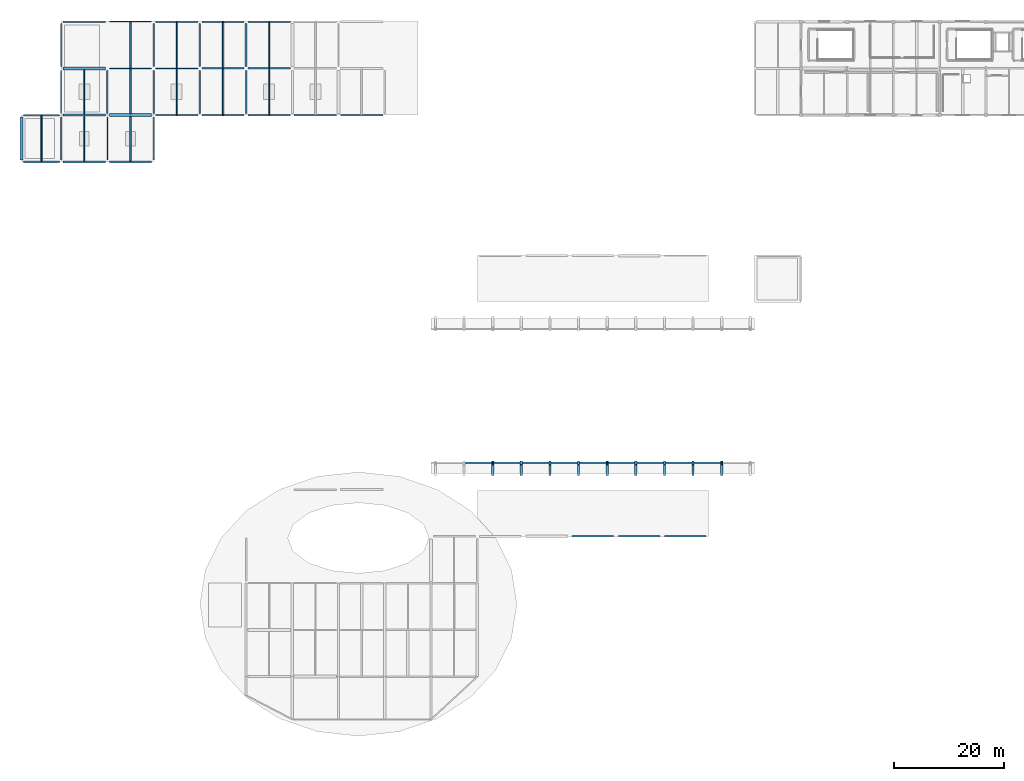
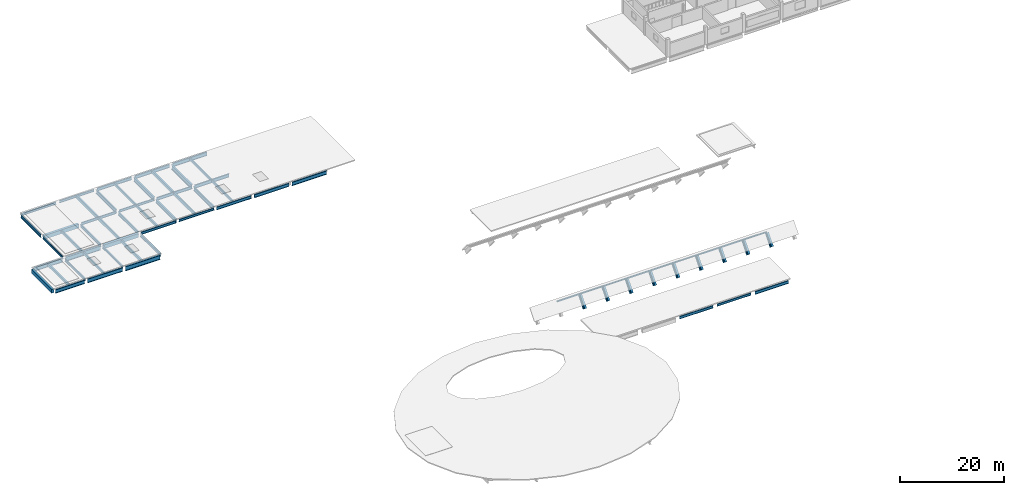
# One storey, part 4 of 13: 58 beams, 9 members.
"""IFC4 building model written with IfcOpenShell, lengths in metres."""

from ifc_helpers import new_model, si_unit, direction, frame, origin, origin_2d, place, context, subcontext, project, spatial, rectangle, hollow_rectangle, i_section, extrude, material, material_profile, profile_set, type_object, element, save


model = new_model("IFC4")

# Units and contexts
model_context = context("Model", 3, precision=1e-05, world=origin(), true_north=direction((0.0, 1.0)))
body_context = subcontext(model_context, "Body", "Model", "MODEL_VIEW")
ifc_project = project(units=[si_unit("LENGTHUNIT", "METRE"), si_unit("AREAUNIT", "SQUARE_METRE"), si_unit("VOLUMEUNIT", "CUBIC_METRE"), si_unit("PLANEANGLEUNIT", "RADIAN"), si_unit("MASSUNIT", "GRAM", prefix="KILO")], contexts=[model_context])

# Site, building, storey
site_placement = place(None, origin())
site = spatial("IfcSite", under=ifc_project, at=site_placement, CompositionType="ELEMENT")
building_placement = place(site_placement, origin())
building = spatial("IfcBuilding", under=site, at=building_placement, Name="Solvento Point Concert Hall", CompositionType="ELEMENT")
storey_placement = place(building_placement, frame((0.0, 0.0, 23.699951171875)))
storey = spatial("IfcBuildingStorey", under=building, at=storey_placement, Name="L05", CompositionType="ELEMENT", Elevation=23.699951171875)

# Beams
ifc_material_1 = material(Name="Structural Steel ASTM A992 Grade 50", Category="steel")
ifc_material_profile_1 = material_profile(ifc_material_1, i_section(OverallWidth=0.423095703125, OverallDepth=0.947998046875, WebThickness=0.02392578125, FlangeThickness=0.042724609375, at=origin_2d()), Name="W36X302")
ifc_profile_set_1 = profile_set([ifc_material_profile_1], Name="Structural Steel ASTM A992 Grade 50")
beam_type_1 = type_object("IfcBeamType", Name="ArchRib_W36X302", PredefinedType="BEAM", material=ifc_profile_set_1)
for number, where, z_axis, x_axis, name in (
    (1, (85.60009765625, 53.956298828125, -0.38330078125), (0.0, 0.644303065309, 0.76477026618), (-1.0, 0.0, 0.0), "Steel arch rib AR-01 bay 3 seg 3"),
    (2, (90.800048828125, 53.956298828125, -0.38330078125), (0.0, 0.644303065309, 0.76477026618), (-1.0, 0.0, 0.0), "Steel arch rib AR-01 bay 4 seg 3"),
    (3, (96.0, 53.956298828125, -0.38330078125), (0.0, 0.644303065309, 0.76477026618), (-1.0, 0.0, 0.0), "Steel arch rib AR-01 bay 5 seg 3"),
    (4, (101.199951171875, 53.956298828125, -0.38330078125), (0.0, 0.644303065309, 0.76477026618), (-1.0, 0.0, 0.0), "Steel arch rib AR-01 bay 6 seg 3"),
    (5, (106.39990234375, 53.956298828125, -0.38330078125), (0.0, 0.644303065309, 0.76477026618), (-1.0, 0.0, 0.0), "Steel arch rib AR-01 bay 7 seg 3"),
    (6, (111.60009765625, 53.956298828125, -0.38330078125), (0.0, 0.644303065309, 0.76477026618), (-1.0, 0.0, 0.0), "Steel arch rib AR-01 bay 8 seg 3"),
    (7, (116.800048828125, 53.956298828125, -0.38330078125), (0.0, 0.644303065309, 0.76477026618), (-1.0, 0.0, 0.0), "Steel arch rib AR-01 bay 9 seg 3"),
    (8, (122.0, 53.956298828125, -0.38330078125), (0.0, 0.644303065309, 0.76477026618), (-1.0, 0.0, 0.0), "Steel arch rib AR-01 bay 10 seg 3"),
    (9, (127.199951171875, 53.956298828125, -0.38330078125), (0.0, 0.644303065309, 0.76477026618), (-1.0, 0.0, 0.0), "Steel arch rib AR-01 bay 11 seg 3"),
):
    element("IfcBeam", number, at=place(storey_placement, frame(where, z_axis=z_axis, x_axis=x_axis)), inside=storey, type_object=beam_type_1, Name=name, PredefinedType="BEAM", context=body_context, shape_type="SweptSolid", body=[
        extrude(i_section(OverallWidth=0.423095703125, OverallDepth=0.947998046875, WebThickness=0.02392578125, FlangeThickness=0.042724609375, at=origin_2d()), origin(), (0.0, 0.0, 1.0), 2.92041015625),
    ])
ifc_material_2 = material(Name="Structural Steel ASTM A992 Grade 50", Category="steel")
ifc_material_profile_2 = material_profile(ifc_material_2, i_section(OverallWidth=0.214111328125, OverallDepth=0.549072265625, WebThickness=0.0146484375, FlangeThickness=0.023681640625, at=origin_2d()), Name="W21X93")
ifc_profile_set_2 = profile_set([ifc_material_profile_2], Name="Structural Steel ASTM A992 Grade 50")
beam_type_2 = type_object("IfcBeamType", Name="Beam_W21X93", PredefinedType="BEAM", material=ifc_profile_set_2)
beam_1_placement = place(storey_placement, frame((108.444091796875, 42.5, -0.538330078125), z_axis=(1.0, 0.0, 0.0), x_axis=(0.0, 1.0, 0.0)))
element("IfcBeam", 10, at=beam_1_placement, inside=storey, type_object=beam_type_2, Name="Primary girder B-48 L05", PredefinedType="BEAM", context=body_context, shape_type="SweptSolid", body=[
    extrude(i_section(OverallWidth=0.214111328125, OverallDepth=0.549072265625, WebThickness=0.0146484375, FlangeThickness=0.023681640625, at=origin_2d()), origin(), (0.0, 0.0, 1.0), 7.511962890625),
])
beam_2_placement = place(storey_placement, frame((32.743896484375, 119.0, -0.538330078125), z_axis=(1.0, 0.0, 0.0), x_axis=(0.0, 1.0, 0.0)))
element("IfcBeam", 11, at=beam_2_placement, inside=storey, type_object=beam_type_2, Name="Primary girder B-48 L05", PredefinedType="BEAM", context=body_context, shape_type="SweptSolid", body=[
    extrude(i_section(OverallWidth=0.214111328125, OverallDepth=0.549072265625, WebThickness=0.0146484375, FlangeThickness=0.023681640625, at=origin_2d()), origin(), (0.0, 0.0, 1.0), 7.712158203125),
])
for number, where, z_axis, x_axis, name in (
    (12, (24.343994140625, 127.5, -0.538330078125), (1.0, 0.0, 0.0), (0.0, 1.0, 0.0), "Primary girder B-48 L05"),
    (13, (15.944091796875, 136.0, -0.538330078125), (1.0, 0.0, 0.0), (0.0, 1.0, 0.0), "Primary girder B-48 L05"),
):
    element("IfcBeam", number, at=place(storey_placement, frame(where, z_axis=z_axis, x_axis=x_axis)), inside=storey, type_object=beam_type_2, Name=name, PredefinedType="BEAM", context=body_context, shape_type="SweptSolid", body=[
        extrude(i_section(OverallWidth=0.214111328125, OverallDepth=0.549072265625, WebThickness=0.0146484375, FlangeThickness=0.023681640625, at=origin_2d()), origin(), (0.0, 0.0, 1.0), 7.7119140625),
    ])
for number, where, z_axis, x_axis, name in (
    (14, (7.199951171875, 119.343994140625, -0.538330078125), (0.0, 1.0, 0.0), (-1.0, 0.0, 0.0), "Primary girder B-48 L05"),
    (15, (15.60009765625, 110.843994140625, -0.538330078125), (0.0, 1.0, 0.0), (-1.0, 0.0, 0.0), "Primary girder B-48 L05"),
):
    element("IfcBeam", number, at=place(storey_placement, frame(where, z_axis=z_axis, x_axis=x_axis)), inside=storey, type_object=beam_type_2, Name=name, PredefinedType="BEAM", context=body_context, shape_type="SweptSolid", body=[
        extrude(i_section(OverallWidth=0.214111328125, OverallDepth=0.549072265625, WebThickness=0.0146484375, FlangeThickness=0.023681640625, at=origin_2d()), origin(), (0.0, 0.0, 1.0), 7.81201171875),
    ])
ifc_material_3 = material(Name="Structural Steel ASTM A992 Grade 50", Category="steel")
ifc_material_profile_3 = material_profile(ifc_material_3, i_section(OverallWidth=0.228515625, OverallDepth=0.60791015625, WebThickness=0.01123046875, FlangeThickness=0.017333984375, at=origin_2d()), Name="W24X76")
ifc_profile_set_3 = profile_set([ifc_material_profile_3], Name="Structural Steel ASTM A992 Grade 50")
beam_type_3 = type_object("IfcBeamType", Name="Beam_W24X76", PredefinedType="BEAM", material=ifc_profile_set_3)
beam_3_placement = place(storey_placement, frame((100.0439453125, 42.5, -0.56787109375), z_axis=(1.0, 0.0, 0.0), x_axis=(0.0, 1.0, 0.0)))
element("IfcBeam", 16, at=beam_3_placement, inside=storey, type_object=beam_type_3, Name="Primary girder B-42 L05", PredefinedType="BEAM", context=body_context, shape_type="SweptSolid", body=[
    extrude(i_section(OverallWidth=0.228515625, OverallDepth=0.60791015625, WebThickness=0.01123046875, FlangeThickness=0.017333984375, at=origin_2d()), origin(), (0.0, 0.0, 1.0), 7.511962890625),
])
for number, where, z_axis, x_axis, name in (
    (17, (24.343994140625, 119.0, -0.56787109375), (1.0, 0.0, 0.0), (0.0, 1.0, 0.0), "Primary girder B-42 L05"),
    (18, (15.944091796875, 127.5, -0.56787109375), (1.0, 0.0, 0.0), (0.0, 1.0, 0.0), "Primary girder B-42 L05"),
):
    element("IfcBeam", number, at=place(storey_placement, frame(where, z_axis=z_axis, x_axis=x_axis)), inside=storey, type_object=beam_type_3, Name=name, PredefinedType="BEAM", context=body_context, shape_type="SweptSolid", body=[
        extrude(i_section(OverallWidth=0.228515625, OverallDepth=0.60791015625, WebThickness=0.01123046875, FlangeThickness=0.017333984375, at=origin_2d()), origin(), (0.0, 0.0, 1.0), 7.7119140625),
    ])
beam_4_placement = place(storey_placement, frame((7.5439453125, 136.0, -0.56787109375), z_axis=(1.0, 0.0, 0.0), x_axis=(0.0, 1.0, 0.0)))
element("IfcBeam", 19, at=beam_4_placement, inside=storey, type_object=beam_type_3, Name="Primary girder B-42 L05", PredefinedType="BEAM", context=body_context, shape_type="SweptSolid", body=[
    extrude(i_section(OverallWidth=0.228515625, OverallDepth=0.60791015625, WebThickness=0.01123046875, FlangeThickness=0.017333984375, at=origin_2d()), origin(), (0.0, 0.0, 1.0), 7.712158203125),
])
beam_5_placement = place(storey_placement, frame((7.199951171875, 110.843994140625, -0.56787109375), z_axis=(0.0, 1.0, 0.0), x_axis=(-1.0, 0.0, 0.0)))
element("IfcBeam", 20, at=beam_5_placement, inside=storey, type_object=beam_type_3, Name="Primary girder B-42 L05", PredefinedType="BEAM", context=body_context, shape_type="SweptSolid", body=[
    extrude(i_section(OverallWidth=0.228515625, OverallDepth=0.60791015625, WebThickness=0.01123046875, FlangeThickness=0.017333984375, at=origin_2d()), origin(), (0.0, 0.0, 1.0), 7.81201171875),
])
ifc_material_4 = material(Name="Glulam 24F-V4", Category="wood")
ifc_material_profile_4 = material_profile(ifc_material_4, rectangle(XDim=0.239990234375, YDim=0.56005859375, at=origin_2d()), Name="GL-240X560")
ifc_profile_set_4 = profile_set([ifc_material_profile_4], Name="Glulam 24F-V4")
beam_type_4 = type_object("IfcBeamType", Name="CanopyJoist_GL240", PredefinedType="JOIST", material=ifc_profile_set_4)
beam_6_placement = place(storey_placement, frame((11.39990234375, 110.638916015625, -0.5439453125), z_axis=(0.0, 1.0, 0.0), x_axis=(-1.0, 0.0, 0.0)))
element("IfcBeam", 21, at=beam_6_placement, inside=storey, type_object=beam_type_4, Name="Secondary floor joist B-97 L05", PredefinedType="JOIST", context=body_context, shape_type="SweptSolid", body=[
    extrude(rectangle(XDim=0.239990234375, YDim=0.56005859375, at=origin_2d()), origin(), (0.0, 0.0, 1.0), 8.195556640625),
])
ifc_material_5 = material(Name="Glulam 24F-V4", Category="wood")
ifc_material_profile_5 = material_profile(ifc_material_5, rectangle(XDim=0.260009765625, YDim=0.6201171875, at=origin_2d()), Name="GL-260X620")
ifc_profile_set_5 = profile_set([ifc_material_profile_5], Name="Glulam 24F-V4")
beam_type_5 = type_object("IfcBeamType", Name="CanopyJoist_GL260", PredefinedType="JOIST", material=ifc_profile_set_5)
beam_7_placement = place(storey_placement, frame((11.39990234375, 119.16552734375, -0.573974609375), z_axis=(0.0, 1.0, 0.0), x_axis=(-1.0, 0.0, 0.0)))
element("IfcBeam", 22, at=beam_7_placement, inside=storey, type_object=beam_type_5, Name="Secondary floor joist B-85 L05", PredefinedType="JOIST", context=body_context, shape_type="SweptSolid", body=[
    extrude(rectangle(XDim=0.260009765625, YDim=0.6201171875, at=origin_2d()), origin(), (0.0, 0.0, 1.0), 8.074462890625),
])
beam_8_placement = place(storey_placement, frame((28.199951171875, 119.09912109375, -0.573974609375), z_axis=(0.0, 1.0, 0.0), x_axis=(-1.0, 0.0, 0.0)))
element("IfcBeam", 23, at=beam_8_placement, inside=storey, type_object=beam_type_5, Name="Secondary floor joist B-85 L05", PredefinedType="JOIST", context=body_context, shape_type="SweptSolid", body=[
    extrude(rectangle(XDim=0.260009765625, YDim=0.6201171875, at=origin_2d()), origin(), (0.0, 0.0, 1.0), 8.308837890625),
])
beam_9_placement = place(storey_placement, frame((28.199951171875, 127.592041015625, -0.573974609375), z_axis=(0.0, 1.0, 0.0), x_axis=(-1.0, 0.0, 0.0)))
element("IfcBeam", 24, at=beam_9_placement, inside=storey, type_object=beam_type_5, Name="Secondary floor joist B-85 L05", PredefinedType="JOIST", context=body_context, shape_type="SweptSolid", body=[
    extrude(rectangle(XDim=0.260009765625, YDim=0.6201171875, at=origin_2d()), origin(), (0.0, 0.0, 1.0), 8.294921875),
])
beam_10_placement = place(storey_placement, frame((45.0, 119.113037109375, -0.573974609375), z_axis=(0.0, 1.0, 0.0), x_axis=(-1.0, 0.0, 0.0)))
element("IfcBeam", 25, at=beam_10_placement, inside=storey, type_object=beam_type_5, Name="Secondary floor joist B-85 L05", PredefinedType="JOIST", context=body_context, shape_type="SweptSolid", body=[
    extrude(rectangle(XDim=0.260009765625, YDim=0.6201171875, at=origin_2d()), origin(), (0.0, 0.0, 1.0), 8.26806640625),
])
beam_11_placement = place(storey_placement, frame((45.0, 127.618896484375, -0.573974609375), z_axis=(0.0, 1.0, 0.0), x_axis=(-1.0, 0.0, 0.0)))
element("IfcBeam", 26, at=beam_11_placement, inside=storey, type_object=beam_type_5, Name="Secondary floor joist B-85 L05", PredefinedType="JOIST", context=body_context, shape_type="SweptSolid", body=[
    extrude(rectangle(XDim=0.260009765625, YDim=0.6201171875, at=origin_2d()), origin(), (0.0, 0.0, 1.0), 8.25),
])
ifc_material_6 = material(Name="Concrete C35/45", Category="concrete")
ifc_material_profile_6 = material_profile(ifc_material_6, rectangle(XDim=0.550048828125, YDim=0.89990234375, at=origin_2d()), Name="RC-BM-550X900")
ifc_profile_set_6 = profile_set([ifc_material_profile_6], Name="Concrete C35/45")
beam_type_6 = type_object("IfcBeamType", Name="Girder_RC_550x900", PredefinedType="USERDEFINED", material=ifc_profile_set_6)
beam_12_placement = place(storey_placement, frame((15.944091796875, 119.0, -0.7138671875), z_axis=(1.0, 0.0, 0.0), x_axis=(0.0, 1.0, 0.0)))
element("IfcBeam", 27, at=beam_12_placement, inside=storey, type_object=beam_type_6, Name="Primary girder B-39 L05", ObjectType="GIRDER", PredefinedType="USERDEFINED", context=body_context, shape_type="SweptSolid", body=[
    extrude(rectangle(XDim=0.550048828125, YDim=0.89990234375, at=origin_2d()), origin(), (0.0, 0.0, 1.0), 7.7119140625),
])
beam_13_placement = place(storey_placement, frame((7.5439453125, 127.5, -0.7138671875), z_axis=(1.0, 0.0, 0.0), x_axis=(0.0, 1.0, 0.0)))
element("IfcBeam", 28, at=beam_13_placement, inside=storey, type_object=beam_type_6, Name="Primary girder B-39 L05", ObjectType="GIRDER", PredefinedType="USERDEFINED", context=body_context, shape_type="SweptSolid", body=[
    extrude(rectangle(XDim=0.550048828125, YDim=0.89990234375, at=origin_2d()), origin(), (0.0, 0.0, 1.0), 7.712158203125),
])
beam_14_placement = place(storey_placement, frame((0.0, 110.843994140625, -0.7138671875), z_axis=(0.0, 1.0, 0.0), x_axis=(-1.0, 0.0, 0.0)))
element("IfcBeam", 29, at=beam_14_placement, inside=storey, type_object=beam_type_6, Name="Primary girder B-39 L05", ObjectType="GIRDER", PredefinedType="USERDEFINED", context=body_context, shape_type="SweptSolid", body=[
    extrude(rectangle(XDim=0.550048828125, YDim=0.89990234375, at=origin_2d()), origin(), (0.0, 0.0, 1.0), 7.81201171875),
])
ifc_material_7 = material(Name="Structural Steel ASTM A992 Grade 50", Category="steel")
ifc_material_profile_7 = material_profile(ifc_material_7, i_section(OverallWidth=0.256103515625, OverallDepth=0.693115234375, WebThickness=0.014404296875, FlangeThickness=0.023681640625, at=origin_2d()), Name="W27X114")
ifc_profile_set_7 = profile_set([ifc_material_profile_7], Name="Structural Steel ASTM A992 Grade 50")
beam_type_7 = type_object("IfcBeamType", Name="Girder_W27X114", PredefinedType="USERDEFINED", material=ifc_profile_set_7)
beam_15_placement = place(storey_placement, frame((116.843994140625, 42.5, -0.6103515625), z_axis=(1.0, 0.0, 0.0), x_axis=(0.0, 1.0, 0.0)))
element("IfcBeam", 30, at=beam_15_placement, inside=storey, type_object=beam_type_7, Name="Primary girder B-23 L05", ObjectType="GIRDER", PredefinedType="USERDEFINED", context=body_context, shape_type="SweptSolid", body=[
    extrude(i_section(OverallWidth=0.256103515625, OverallDepth=0.693115234375, WebThickness=0.014404296875, FlangeThickness=0.023681640625, at=origin_2d()), origin(), (0.0, 0.0, 1.0), 7.511962890625),
])
beam_16_placement = place(storey_placement, frame((41.14404296875, 119.0, -0.6103515625), z_axis=(1.0, 0.0, 0.0), x_axis=(0.0, 1.0, 0.0)))
element("IfcBeam", 31, at=beam_16_placement, inside=storey, type_object=beam_type_7, Name="Primary girder B-23 L05", ObjectType="GIRDER", PredefinedType="USERDEFINED", context=body_context, shape_type="SweptSolid", body=[
    extrude(i_section(OverallWidth=0.256103515625, OverallDepth=0.693115234375, WebThickness=0.014404296875, FlangeThickness=0.023681640625, at=origin_2d()), origin(), (0.0, 0.0, 1.0), 7.7119140625),
])
beam_17_placement = place(storey_placement, frame((32.743896484375, 127.5, -0.6103515625), z_axis=(1.0, 0.0, 0.0), x_axis=(0.0, 1.0, 0.0)))
element("IfcBeam", 32, at=beam_17_placement, inside=storey, type_object=beam_type_7, Name="Primary girder B-23 L05", ObjectType="GIRDER", PredefinedType="USERDEFINED", context=body_context, shape_type="SweptSolid", body=[
    extrude(i_section(OverallWidth=0.256103515625, OverallDepth=0.693115234375, WebThickness=0.014404296875, FlangeThickness=0.023681640625, at=origin_2d()), origin(), (0.0, 0.0, 1.0), 7.712158203125),
])
beam_18_placement = place(storey_placement, frame((24.343994140625, 136.0, -0.6103515625), z_axis=(1.0, 0.0, 0.0), x_axis=(0.0, 1.0, 0.0)))
element("IfcBeam", 33, at=beam_18_placement, inside=storey, type_object=beam_type_7, Name="Primary girder B-23 L05", ObjectType="GIRDER", PredefinedType="USERDEFINED", context=body_context, shape_type="SweptSolid", body=[
    extrude(i_section(OverallWidth=0.256103515625, OverallDepth=0.693115234375, WebThickness=0.014404296875, FlangeThickness=0.023681640625, at=origin_2d()), origin(), (0.0, 0.0, 1.0), 7.7119140625),
])
for number, where, z_axis, x_axis, name in (
    (34, (7.199951171875, 127.843994140625, -0.6103515625), (0.0, 1.0, 0.0), (-1.0, 0.0, 0.0), "Primary girder B-23 L05"),
    (35, (15.60009765625, 119.343994140625, -0.6103515625), (0.0, 1.0, 0.0), (-1.0, 0.0, 0.0), "Primary girder B-23 L05"),
    (36, (24.0, 110.843994140625, -0.6103515625), (0.0, 1.0, 0.0), (-1.0, 0.0, 0.0), "Primary girder B-23 L05"),
):
    element("IfcBeam", number, at=place(storey_placement, frame(where, z_axis=z_axis, x_axis=x_axis)), inside=storey, type_object=beam_type_7, Name=name, ObjectType="GIRDER", PredefinedType="USERDEFINED", context=body_context, shape_type="SweptSolid", body=[
        extrude(i_section(OverallWidth=0.256103515625, OverallDepth=0.693115234375, WebThickness=0.014404296875, FlangeThickness=0.023681640625, at=origin_2d()), origin(), (0.0, 0.0, 1.0), 7.81201171875),
    ])
ifc_material_8 = material(Name="Structural Steel ASTM A992 Grade 50", Category="steel")
ifc_material_profile_8 = material_profile(ifc_material_8, i_section(OverallWidth=0.26806640625, OverallDepth=0.77001953125, WebThickness=0.015625, FlangeThickness=0.025390625, at=origin_2d()), Name="W30X132")
ifc_profile_set_8 = profile_set([ifc_material_profile_8], Name="Structural Steel ASTM A992 Grade 50")
beam_type_8 = type_object("IfcBeamType", Name="Girder_W30X132", PredefinedType="USERDEFINED", material=ifc_profile_set_8)
beam_19_placement = place(storey_placement, frame((49.5439453125, 119.0, -0.64892578125), z_axis=(1.0, 0.0, 0.0), x_axis=(0.0, 1.0, 0.0)))
element("IfcBeam", 37, at=beam_19_placement, inside=storey, type_object=beam_type_8, Name="Primary girder B-68 L05", ObjectType="GIRDER", PredefinedType="USERDEFINED", context=body_context, shape_type="SweptSolid", body=[
    extrude(i_section(OverallWidth=0.26806640625, OverallDepth=0.77001953125, WebThickness=0.015625, FlangeThickness=0.025390625, at=origin_2d()), origin(), (0.0, 0.0, 1.0), 7.712158203125),
])
beam_20_placement = place(storey_placement, frame((41.14404296875, 127.5, -0.64892578125), z_axis=(1.0, 0.0, 0.0), x_axis=(0.0, 1.0, 0.0)))
element("IfcBeam", 38, at=beam_20_placement, inside=storey, type_object=beam_type_8, Name="Primary girder B-68 L05", ObjectType="GIRDER", PredefinedType="USERDEFINED", context=body_context, shape_type="SweptSolid", body=[
    extrude(i_section(OverallWidth=0.26806640625, OverallDepth=0.77001953125, WebThickness=0.015625, FlangeThickness=0.025390625, at=origin_2d()), origin(), (0.0, 0.0, 1.0), 7.7119140625),
])
beam_21_placement = place(storey_placement, frame((32.743896484375, 136.0, -0.64892578125), z_axis=(1.0, 0.0, 0.0), x_axis=(0.0, 1.0, 0.0)))
element("IfcBeam", 39, at=beam_21_placement, inside=storey, type_object=beam_type_8, Name="Primary girder B-68 L05", ObjectType="GIRDER", PredefinedType="USERDEFINED", context=body_context, shape_type="SweptSolid", body=[
    extrude(i_section(OverallWidth=0.26806640625, OverallDepth=0.77001953125, WebThickness=0.015625, FlangeThickness=0.025390625, at=origin_2d()), origin(), (0.0, 0.0, 1.0), 7.712158203125),
])
beam_22_placement = place(storey_placement, frame((24.0, 119.343994140625, -0.64892578125), z_axis=(0.0, 1.0, 0.0), x_axis=(-1.0, 0.0, 0.0)))
element("IfcBeam", 40, at=beam_22_placement, inside=storey, type_object=beam_type_8, Name="Primary girder B-68 L05", ObjectType="GIRDER", PredefinedType="USERDEFINED", context=body_context, shape_type="SweptSolid", body=[
    extrude(i_section(OverallWidth=0.26806640625, OverallDepth=0.77001953125, WebThickness=0.015625, FlangeThickness=0.025390625, at=origin_2d()), origin(), (0.0, 0.0, 1.0), 7.81201171875),
])
ifc_material_9 = material(Name="Structural Steel ASTM A992 Grade 50", Category="steel")
ifc_material_profile_9 = material_profile(ifc_material_9, i_section(OverallWidth=0.2919921875, OverallDepth=0.85888671875, WebThickness=0.01708984375, FlangeThickness=0.031005859375, at=origin_2d()), Name="W33X169")
ifc_profile_set_9 = profile_set([ifc_material_profile_9], Name="Structural Steel ASTM A992 Grade 50")
beam_type_9 = type_object("IfcBeamType", Name="Girder_W33X169", PredefinedType="USERDEFINED", material=ifc_profile_set_9)
beam_23_placement = place(storey_placement, frame((0.343994140625, 110.5, -0.693359375), z_axis=(1.0, 0.0, 0.0), x_axis=(0.0, 1.0, 0.0)))
element("IfcBeam", 41, at=beam_23_placement, inside=storey, type_object=beam_type_9, Name="Primary girder B-33 L05", ObjectType="GIRDER", PredefinedType="USERDEFINED", context=body_context, shape_type="SweptSolid", body=[
    extrude(i_section(OverallWidth=0.2919921875, OverallDepth=0.85888671875, WebThickness=0.01708984375, FlangeThickness=0.031005859375, at=origin_2d()), origin(), (0.0, 0.0, 1.0), 6.511962890625),
])
for number, where, z_axis, x_axis, name in (
    (42, (57.944091796875, 119.0, -0.693359375), (1.0, 0.0, 0.0), (0.0, 1.0, 0.0), "Primary girder B-33 L05"),
    (43, (41.14404296875, 136.0, -0.693359375), (1.0, 0.0, 0.0), (0.0, 1.0, 0.0), "Primary girder B-33 L05"),
):
    element("IfcBeam", number, at=place(storey_placement, frame(where, z_axis=z_axis, x_axis=x_axis)), inside=storey, type_object=beam_type_9, Name=name, ObjectType="GIRDER", PredefinedType="USERDEFINED", context=body_context, shape_type="SweptSolid", body=[
        extrude(i_section(OverallWidth=0.2919921875, OverallDepth=0.85888671875, WebThickness=0.01708984375, FlangeThickness=0.031005859375, at=origin_2d()), origin(), (0.0, 0.0, 1.0), 7.7119140625),
    ])
for number, where, z_axis, x_axis, name in (
    (44, (24.0, 127.843994140625, -0.693359375), (0.0, 1.0, 0.0), (-1.0, 0.0, 0.0), "Primary girder B-33 L05"),
    (45, (32.39990234375, 119.343994140625, -0.693359375), (0.0, 1.0, 0.0), (-1.0, 0.0, 0.0), "Primary girder B-33 L05"),
):
    element("IfcBeam", number, at=place(storey_placement, frame(where, z_axis=z_axis, x_axis=x_axis)), inside=storey, type_object=beam_type_9, Name=name, ObjectType="GIRDER", PredefinedType="USERDEFINED", context=body_context, shape_type="SweptSolid", body=[
        extrude(i_section(OverallWidth=0.2919921875, OverallDepth=0.85888671875, WebThickness=0.01708984375, FlangeThickness=0.031005859375, at=origin_2d()), origin(), (0.0, 0.0, 1.0), 7.81201171875),
    ])
ifc_material_10 = material(Name="Structural Steel ASTM A992 Grade 50", Category="steel")
ifc_material_profile_10 = material_profile(ifc_material_10, i_section(OverallWidth=0.3076171875, OverallDepth=0.927001953125, WebThickness=0.019287109375, FlangeThickness=0.031982421875, at=origin_2d()), Name="W36X194")
ifc_profile_set_10 = profile_set([ifc_material_profile_10], Name="Structural Steel ASTM A992 Grade 50")
beam_type_10 = type_object("IfcBeamType", Name="Girder_W36X194", PredefinedType="USERDEFINED", material=ifc_profile_set_10)
beam_24_placement = place(storey_placement, frame((7.5439453125, 110.5, -0.7275390625), z_axis=(1.0, 0.0, 0.0), x_axis=(0.0, 1.0, 0.0)))
element("IfcBeam", 46, at=beam_24_placement, inside=storey, type_object=beam_type_10, Name="Primary girder B-61 L05", ObjectType="GIRDER", PredefinedType="USERDEFINED", context=body_context, shape_type="SweptSolid", body=[
    extrude(i_section(OverallWidth=0.3076171875, OverallDepth=0.927001953125, WebThickness=0.019287109375, FlangeThickness=0.031982421875, at=origin_2d()), origin(), (0.0, 0.0, 1.0), 7.712158203125),
])
beam_25_placement = place(storey_placement, frame((0.343994140625, 119.0, -0.7275390625), z_axis=(1.0, 0.0, 0.0), x_axis=(0.0, 1.0, 0.0)))
element("IfcBeam", 47, at=beam_25_placement, inside=storey, type_object=beam_type_10, Name="Primary girder B-61 L05", ObjectType="GIRDER", PredefinedType="USERDEFINED", context=body_context, shape_type="SweptSolid", body=[
    extrude(i_section(OverallWidth=0.3076171875, OverallDepth=0.927001953125, WebThickness=0.019287109375, FlangeThickness=0.031982421875, at=origin_2d()), origin(), (0.0, 0.0, 1.0), 6.511962890625),
])
for number, where, z_axis, x_axis, name in (
    (48, (32.39990234375, 127.843994140625, -0.7275390625), (0.0, 1.0, 0.0), (-1.0, 0.0, 0.0), "Primary girder B-61 L05"),
    (49, (40.800048828125, 119.343994140625, -0.7275390625), (0.0, 1.0, 0.0), (-1.0, 0.0, 0.0), "Primary girder B-61 L05"),
):
    element("IfcBeam", number, at=place(storey_placement, frame(where, z_axis=z_axis, x_axis=x_axis)), inside=storey, type_object=beam_type_10, Name=name, ObjectType="GIRDER", PredefinedType="USERDEFINED", context=body_context, shape_type="SweptSolid", body=[
        extrude(i_section(OverallWidth=0.3076171875, OverallDepth=0.927001953125, WebThickness=0.019287109375, FlangeThickness=0.031982421875, at=origin_2d()), origin(), (0.0, 0.0, 1.0), 7.81201171875),
    ])
ifc_material_11 = material(Name="Structural Steel ASTM A992 Grade 50", Category="steel")
ifc_material_profile_11 = material_profile(ifc_material_11, i_section(OverallWidth=0.361083984375, OverallDepth=1.02587890625, WebThickness=0.01904296875, FlangeThickness=0.0361328125, at=origin_2d()), Name="W40X249")
ifc_profile_set_11 = profile_set([ifc_material_profile_11], Name="Structural Steel ASTM A992 Grade 50")
beam_type_11 = type_object("IfcBeamType", Name="Girder_W40X249", PredefinedType="USERDEFINED", material=ifc_profile_set_11)
beam_26_placement = place(storey_placement, frame((15.944091796875, 110.5, -0.77685546875), z_axis=(1.0, 0.0, 0.0), x_axis=(0.0, 1.0, 0.0)))
element("IfcBeam", 50, at=beam_26_placement, inside=storey, type_object=beam_type_11, Name="Primary girder B-29 L05", ObjectType="GIRDER", PredefinedType="USERDEFINED", context=body_context, shape_type="SweptSolid", body=[
    extrude(i_section(OverallWidth=0.361083984375, OverallDepth=1.02587890625, WebThickness=0.01904296875, FlangeThickness=0.0361328125, at=origin_2d()), origin(), (0.0, 0.0, 1.0), 7.7119140625),
])
beam_27_placement = place(storey_placement, frame((7.5439453125, 119.0, -0.77685546875), z_axis=(1.0, 0.0, 0.0), x_axis=(0.0, 1.0, 0.0)))
element("IfcBeam", 51, at=beam_27_placement, inside=storey, type_object=beam_type_11, Name="Primary girder B-29 L05", ObjectType="GIRDER", PredefinedType="USERDEFINED", context=body_context, shape_type="SweptSolid", body=[
    extrude(i_section(OverallWidth=0.361083984375, OverallDepth=1.02587890625, WebThickness=0.01904296875, FlangeThickness=0.0361328125, at=origin_2d()), origin(), (0.0, 0.0, 1.0), 7.712158203125),
])
beam_28_placement = place(storey_placement, frame((40.800048828125, 127.843994140625, -0.77685546875), z_axis=(0.0, 1.0, 0.0), x_axis=(-1.0, 0.0, 0.0)))
element("IfcBeam", 52, at=beam_28_placement, inside=storey, type_object=beam_type_11, Name="Primary girder B-29 L05", ObjectType="GIRDER", PredefinedType="USERDEFINED", context=body_context, shape_type="SweptSolid", body=[
    extrude(i_section(OverallWidth=0.361083984375, OverallDepth=1.02587890625, WebThickness=0.01904296875, FlangeThickness=0.0361328125, at=origin_2d()), origin(), (0.0, 0.0, 1.0), 7.81201171875),
])

# Members
ifc_material_12 = material(Name="Structural Steel ASTM A500 Grade C", Category="steel")
ifc_material_profile_12 = material_profile(ifc_material_12, hollow_rectangle(XDim=0.25390625, YDim=0.25390625, WallThickness=0.01171875, at=origin_2d()), Name="HSS10X10X1/2")
ifc_profile_set_12 = profile_set([ifc_material_profile_12], Name="Structural Steel ASTM A500 Grade C")
member_type = type_object("IfcMemberType", Name="ShellPurlin_HSS10", PredefinedType="PURLIN", material=ifc_profile_set_12)
for number, where, z_axis, x_axis, name in (
    (53, (80.4150390625, 55.837890625, 2.02001953125), (1.0, 0.0, 0.0), (0.0, 1.0, 0.0), "Acoustic shell steel purlin M-49"),
    (54, (85.614990234375, 55.837890625, 2.02001953125), (1.0, 0.0, 0.0), (0.0, 1.0, 0.0), "Acoustic shell steel purlin M-49"),
):
    element("IfcMember", number, at=place(storey_placement, frame(where, z_axis=z_axis, x_axis=x_axis)), inside=storey, type_object=member_type, Name=name, PredefinedType="PURLIN", context=body_context, shape_type="SweptSolid", body=[
        extrude(hollow_rectangle(XDim=0.25390625, YDim=0.25390625, WallThickness=0.01171875, at=origin_2d()), origin(), (0.0, 0.0, 1.0), 5.169921875),
    ])
for number, where, z_axis, x_axis, name in (
    (55, (90.81494140625, 55.837890625, 2.02001953125), (1.0, 0.0, 0.0), (0.0, 1.0, 0.0), "Acoustic shell steel purlin M-49"),
    (56, (96.014892578125, 55.837890625, 2.02001953125), (1.0, 0.0, 0.0), (0.0, 1.0, 0.0), "Acoustic shell steel purlin M-49"),
):
    element("IfcMember", number, at=place(storey_placement, frame(where, z_axis=z_axis, x_axis=x_axis)), inside=storey, type_object=member_type, Name=name, PredefinedType="PURLIN", context=body_context, shape_type="SweptSolid", body=[
        extrude(hollow_rectangle(XDim=0.25390625, YDim=0.25390625, WallThickness=0.01171875, at=origin_2d()), origin(), (0.0, 0.0, 1.0), 5.170166015625),
    ])
for number, where, z_axis, x_axis, name in (
    (57, (101.215087890625, 55.837890625, 2.02001953125), (1.0, 0.0, 0.0), (0.0, 1.0, 0.0), "Acoustic shell steel purlin M-49"),
    (58, (106.4150390625, 55.837890625, 2.02001953125), (1.0, 0.0, 0.0), (0.0, 1.0, 0.0), "Acoustic shell steel purlin M-49"),
    (59, (111.614990234375, 55.837890625, 2.02001953125), (1.0, 0.0, 0.0), (0.0, 1.0, 0.0), "Acoustic shell steel purlin M-49"),
):
    element("IfcMember", number, at=place(storey_placement, frame(where, z_axis=z_axis, x_axis=x_axis)), inside=storey, type_object=member_type, Name=name, PredefinedType="PURLIN", context=body_context, shape_type="SweptSolid", body=[
        extrude(hollow_rectangle(XDim=0.25390625, YDim=0.25390625, WallThickness=0.01171875, at=origin_2d()), origin(), (0.0, 0.0, 1.0), 5.169921875),
    ])
for number, where, z_axis, x_axis, name in (
    (60, (116.81494140625, 55.837890625, 2.02001953125), (1.0, 0.0, 0.0), (0.0, 1.0, 0.0), "Acoustic shell steel purlin M-49"),
    (61, (122.014892578125, 55.837890625, 2.02001953125), (1.0, 0.0, 0.0), (0.0, 1.0, 0.0), "Acoustic shell steel purlin M-49"),
):
    element("IfcMember", number, at=place(storey_placement, frame(where, z_axis=z_axis, x_axis=x_axis)), inside=storey, type_object=member_type, Name=name, PredefinedType="PURLIN", context=body_context, shape_type="SweptSolid", body=[
        extrude(hollow_rectangle(XDim=0.25390625, YDim=0.25390625, WallThickness=0.01171875, at=origin_2d()), origin(), (0.0, 0.0, 1.0), 5.170166015625),
    ])

# Beams
ifc_material_13 = material(Name="Glulam 24F-V4", Category="wood")
ifc_material_profile_13 = material_profile(ifc_material_13, rectangle(XDim=0.280029296875, YDim=0.679931640625, at=origin_2d()), Name="GL-280X680")
ifc_profile_set_13 = profile_set([ifc_material_profile_13], Name="Glulam 24F-V4")
beam_type_12 = type_object("IfcBeamType", Name="StudioRafter_GL280", PredefinedType="BEAM", material=ifc_profile_set_13)
beam_29_placement = place(storey_placement, frame((3.60009765625, 110.631103515625, -0.60400390625), z_axis=(0.0, 1.0, 0.0), x_axis=(-1.0, 0.0, 0.0)))
element("IfcBeam", 62, at=beam_29_placement, inside=storey, type_object=beam_type_12, Name="Secondary floor joist B-80 L05", PredefinedType="BEAM", context=body_context, shape_type="SweptSolid", body=[
    extrude(rectangle(XDim=0.280029296875, YDim=0.679931640625, at=origin_2d()), origin(), (0.0, 0.0, 1.0), 8.22998046875),
])
beam_30_placement = place(storey_placement, frame((19.800048828125, 110.66552734375, -0.60400390625), z_axis=(0.0, 1.0, 0.0), x_axis=(-1.0, 0.0, 0.0)))
element("IfcBeam", 63, at=beam_30_placement, inside=storey, type_object=beam_type_12, Name="Secondary floor joist B-80 L05", PredefinedType="BEAM", context=body_context, shape_type="SweptSolid", body=[
    extrude(rectangle(XDim=0.280029296875, YDim=0.679931640625, at=origin_2d()), origin(), (0.0, 0.0, 1.0), 8.074462890625),
])
ifc_material_14 = material(Name="Glulam 24F-V4", Category="wood")
ifc_material_profile_14 = material_profile(ifc_material_14, rectangle(XDim=0.300048828125, YDim=0.719970703125, at=origin_2d()), Name="GL-300X720")
ifc_profile_set_14 = profile_set([ifc_material_profile_14], Name="Glulam 24F-V4")
beam_type_13 = type_object("IfcBeamType", Name="StudioRafter_GL300", PredefinedType="BEAM", material=ifc_profile_set_14)
beam_31_placement = place(storey_placement, frame((19.800048828125, 119.260009765625, -0.6240234375), z_axis=(0.0, 1.0, 0.0), x_axis=(-1.0, 0.0, 0.0)))
element("IfcBeam", 64, at=beam_31_placement, inside=storey, type_object=beam_type_13, Name="Secondary floor joist B-79 L05", PredefinedType="BEAM", context=body_context, shape_type="SweptSolid", body=[
    extrude(rectangle(XDim=0.300048828125, YDim=0.719970703125, at=origin_2d()), origin(), (0.0, 0.0, 1.0), 8.140869140625),
])
beam_32_placement = place(storey_placement, frame((19.800048828125, 127.59912109375, -0.6240234375), z_axis=(0.0, 1.0, 0.0), x_axis=(-1.0, 0.0, 0.0)))
element("IfcBeam", 65, at=beam_32_placement, inside=storey, type_object=beam_type_13, Name="Secondary floor joist B-79 L05", PredefinedType="BEAM", context=body_context, shape_type="SweptSolid", body=[
    extrude(rectangle(XDim=0.300048828125, YDim=0.719970703125, at=origin_2d()), origin(), (0.0, 0.0, 1.0), 8.308837890625),
])
beam_33_placement = place(storey_placement, frame((36.60009765625, 119.092041015625, -0.6240234375), z_axis=(0.0, 1.0, 0.0), x_axis=(-1.0, 0.0, 0.0)))
element("IfcBeam", 66, at=beam_33_placement, inside=storey, type_object=beam_type_13, Name="Secondary floor joist B-79 L05", PredefinedType="BEAM", context=body_context, shape_type="SweptSolid", body=[
    extrude(rectangle(XDim=0.300048828125, YDim=0.719970703125, at=origin_2d()), origin(), (0.0, 0.0, 1.0), 8.294921875),
])
beam_34_placement = place(storey_placement, frame((36.60009765625, 127.613037109375, -0.6240234375), z_axis=(0.0, 1.0, 0.0), x_axis=(-1.0, 0.0, 0.0)))
element("IfcBeam", 67, at=beam_34_placement, inside=storey, type_object=beam_type_13, Name="Secondary floor joist B-79 L05", PredefinedType="BEAM", context=body_context, shape_type="SweptSolid", body=[
    extrude(rectangle(XDim=0.300048828125, YDim=0.719970703125, at=origin_2d()), origin(), (0.0, 0.0, 1.0), 8.26806640625),
])

save(model, "model.ifc")
